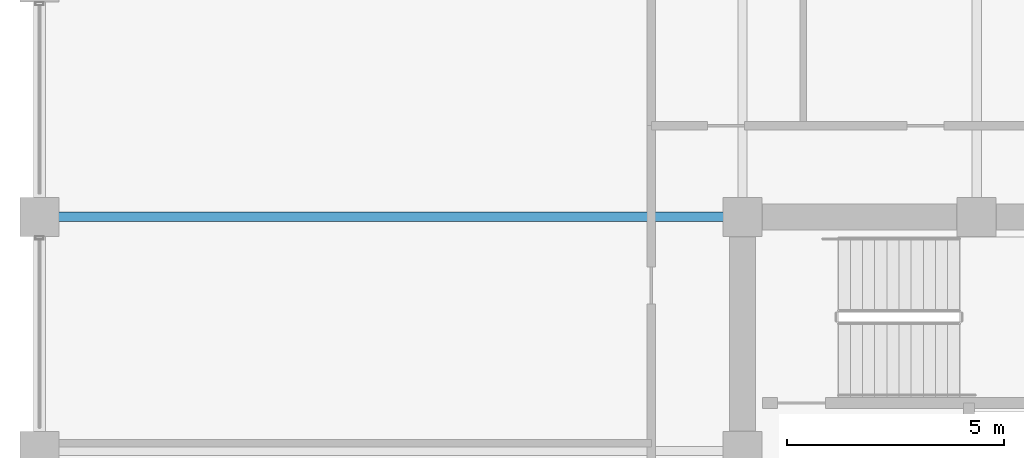
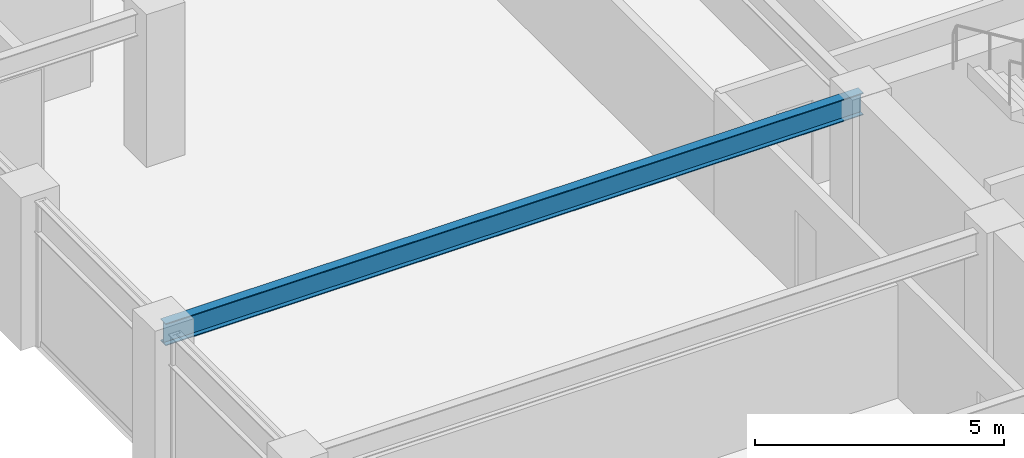
# One storey, part 17 of 32: 1 beam.
"""IFC4 building model written with IfcOpenShell, lengths in metres."""

from ifc_helpers import new_model, si_unit, direction, frame, origin, origin_2d, place, context, subcontext, project, spatial, i_section, extrude, material, material_profile, profile_set, type_object, element, save


model = new_model("IFC4")

# Units and contexts
model_context = context("Model", 3, precision=1e-05, world=origin(), true_north=direction((0.0, 1.0)))
body_context = subcontext(model_context, "Body", "Model", "MODEL_VIEW")
ifc_project = project(units=[si_unit("LENGTHUNIT", "METRE"), si_unit("AREAUNIT", "SQUARE_METRE"), si_unit("VOLUMEUNIT", "CUBIC_METRE"), si_unit("PLANEANGLEUNIT", "RADIAN"), si_unit("MASSUNIT", "GRAM", prefix="KILO")], contexts=[model_context])

# Site, building, storey
site_placement = place(None, origin())
site = spatial("IfcSite", under=ifc_project, at=site_placement, CompositionType="ELEMENT")
building_placement = place(site_placement, origin())
building = spatial("IfcBuilding", under=site, at=building_placement, Name="Surkhivell Harbour Commons", CompositionType="ELEMENT")
storey_placement = place(building_placement, frame((0.0, 0.0, 212.25)))
storey = spatial("IfcBuildingStorey", under=building, at=storey_placement, Name="L55", CompositionType="ELEMENT", Elevation=212.25)

# Beam
ifc_material = material(Name="Steel S355", Category="steel")
ifc_material_profile = material_profile(ifc_material, i_section(OverallWidth=0.2119140625, OverallDepth=0.5439453125, WebThickness=0.0126953125, FlangeThickness=0.021240234375, at=origin_2d()), Name="UB533x210x122")
ifc_profile_set = profile_set([ifc_material_profile], Name="Steel S355")
beam_type = type_object("IfcBeamType", Name="BM-GRD-533A", PredefinedType="BEAM", material=ifc_profile_set)
beam_placement = place(storey_placement, frame((-27.0, 10.800048828125, 3.298095703125), z_axis=(1.0, 0.0, 0.0), x_axis=(0.0, 1.0, 0.0)))
element("IfcBeam", 1, at=beam_placement, inside=storey, type_object=beam_type, Name="L55 Floor Girder (-27.0,10.8)", PredefinedType="BEAM", context=body_context, shape_type="SweptSolid", body=[
    extrude(i_section(OverallWidth=0.2119140625, OverallDepth=0.5439453125, WebThickness=0.0126953125, FlangeThickness=0.021240234375, at=origin_2d()), origin(), (0.0, 0.0, 1.0), 16.199951171875),
])

save(model, "model.ifc")
